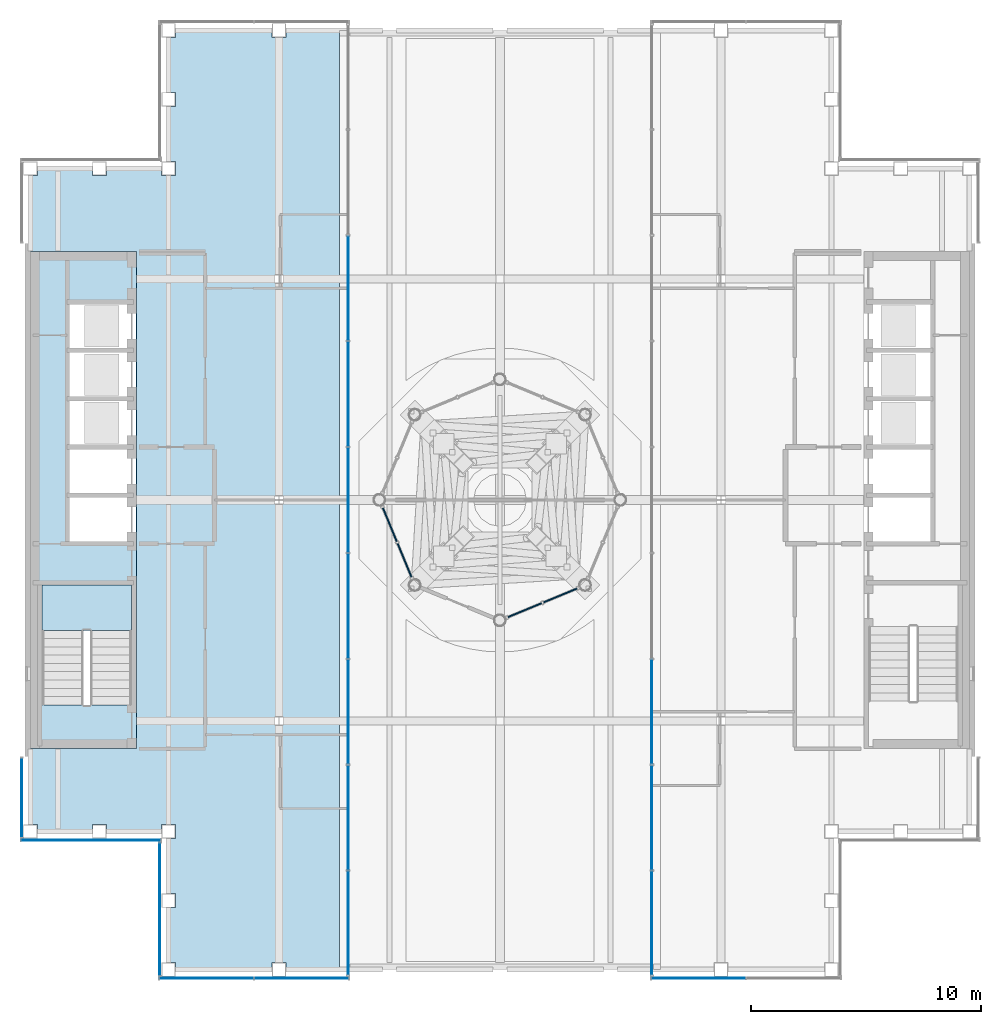
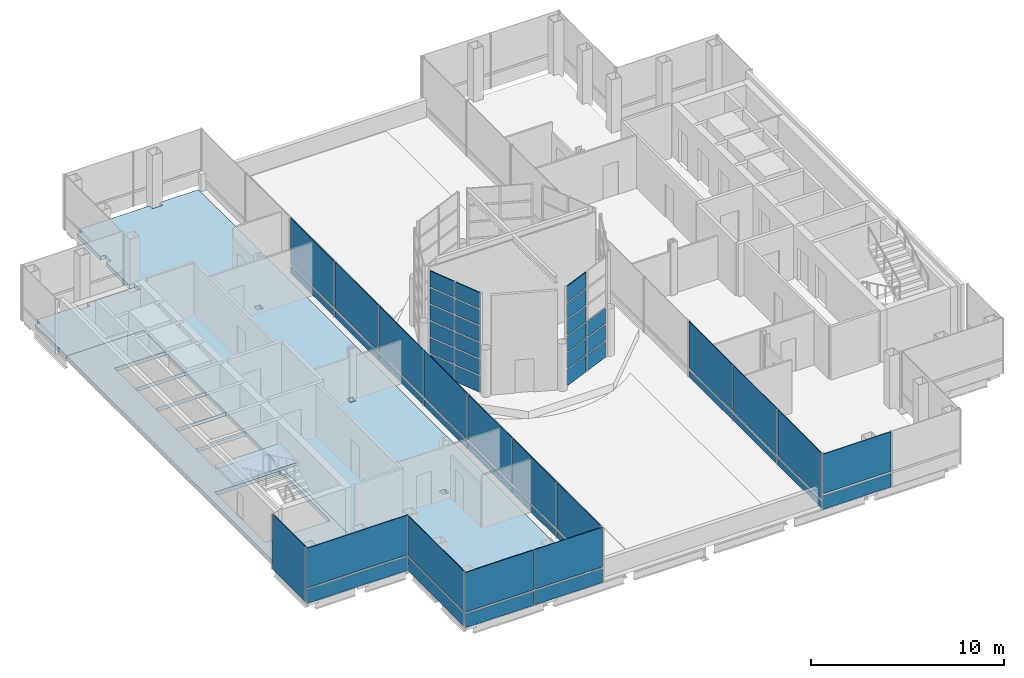
# One storey, part 22 of 32: 52 plates, 3 slabs, 10 elements without a shape of their own.
"""IFC4 building model written with IfcOpenShell, lengths in metres."""

from ifc_helpers import new_model, si_unit, direction, frame, origin, origin_2d, place, context, subcontext, project, spatial, polyline, rectangle, outline, extrude, material, layer, layer_set, type_object, element, aggregate, save


model = new_model("IFC4")

# Units and contexts
model_context = context("Model", 3, precision=1e-05, world=origin(), true_north=direction((0.0, 1.0)))
body_context = subcontext(model_context, "Body", "Model", "MODEL_VIEW")
ifc_project = project(units=[si_unit("LENGTHUNIT", "METRE"), si_unit("AREAUNIT", "SQUARE_METRE"), si_unit("VOLUMEUNIT", "CUBIC_METRE"), si_unit("PLANEANGLEUNIT", "RADIAN"), si_unit("MASSUNIT", "GRAM", prefix="KILO")], contexts=[model_context])

# Site, building, storey
site_placement = place(None, origin())
site = spatial("IfcSite", under=ifc_project, at=site_placement, CompositionType="ELEMENT")
building_placement = place(site_placement, origin())
building = spatial("IfcBuilding", under=site, at=building_placement, Name="Cobrizo Arcos Hotel Tower", CompositionType="ELEMENT")
storey_placement = place(building_placement, frame((0.0, 0.0, 265.5)))
storey = spatial("IfcBuildingStorey", under=building, at=storey_placement, Name="L70", CompositionType="ELEMENT", Elevation=265.5)

# Curtain wall, plate
ifc_material_1 = material(Name="Aluminium 6063-T6 anodised bronze", Category="aluminium")
curtain_wall_type_1 = type_object("IfcCurtainWallType", Name="CW-A guest facade", PredefinedType="NOTDEFINED", material=ifc_material_1)
curtain_wall_1_placement = place(storey_placement, origin())
curtain_wall_1 = element("IfcCurtainWall", 1, at=curtain_wall_1_placement, inside=storey, type_object=curtain_wall_type_1, Name="CW-A L70 S face", PredefinedType="NOTDEFINED")
ifc_material_2 = material(Name="Glass clear laminated low-e", Category="glass")
ifc_layer_1 = layer(ifc_material_2, 0.0400390625)
ifc_layer_set_1 = layer_set([ifc_layer_1], Name="CW-A glass panel")
plate_type_1 = type_object("IfcPlateType", Name="CW-A glass panel", PredefinedType="CURTAIN_PANEL", material=ifc_layer_set_1)
plate_1_placement = place(storey_placement, frame((8.62060546875, -20.77490234375, 0.990234375), z_axis=(0.0, 0.0, 1.0), x_axis=(1.0, 0.0, 0.0)))
plate_1 = element("IfcPlate", 2, at=plate_1_placement, type_object=plate_type_1, Name="CW-A glass panel 2191", PredefinedType="CURTAIN_PANEL", context=body_context, shape_type="SweptSolid", body=[
    extrude(rectangle(XDim=4.072998046875, YDim=0.0400390625, at=origin_2d()), origin(), (0.0, 0.0, 1.0), 2.510009765625),
])

# Curtain wall, plates
curtain_wall_2_placement = place(storey_placement, origin())
curtain_wall_2 = element("IfcCurtainWall", 3, at=curtain_wall_2_placement, inside=storey, type_object=curtain_wall_type_1, Name="CW-A L70 S face", PredefinedType="NOTDEFINED")
plate_2_placement = place(storey_placement, frame((-12.75341796875, -20.77490234375, 0.990234375), z_axis=(0.0, 0.0, 1.0), x_axis=(1.0, 0.0, 0.0)))
plate_2 = element("IfcPlate", 4, at=plate_2_placement, type_object=plate_type_1, Name="CW-A glass panel 2199", PredefinedType="CURTAIN_PANEL", context=body_context, shape_type="SweptSolid", body=[
    extrude(rectangle(XDim=4.072998046875, YDim=0.0400390625, at=origin_2d()), origin(), (0.0, 0.0, 1.0), 2.510009765625),
])
plate_3_placement = place(storey_placement, frame((-8.62060546875, -20.77490234375, 0.990234375), z_axis=(0.0, 0.0, 1.0), x_axis=(1.0, 0.0, 0.0)))
plate_3 = element("IfcPlate", 5, at=plate_3_placement, type_object=plate_type_1, Name="CW-A glass panel 2200", PredefinedType="CURTAIN_PANEL", context=body_context, shape_type="SweptSolid", body=[
    extrude(rectangle(XDim=4.072998046875, YDim=0.0400390625, at=origin_2d()), origin(), (0.0, 0.0, 1.0), 2.510009765625),
])

# Curtain wall, plate
curtain_wall_3_placement = place(storey_placement, origin())
curtain_wall_3 = element("IfcCurtainWall", 6, at=curtain_wall_3_placement, inside=storey, type_object=curtain_wall_type_1, Name="CW-A L70 S face", PredefinedType="NOTDEFINED")
plate_4_placement = place(storey_placement, frame((-17.77490234375, -14.77490234375, 0.990234375), z_axis=(0.0, 0.0, 1.0), x_axis=(1.0, 0.0, 0.0)))
plate_4 = element("IfcPlate", 7, at=plate_4_placement, type_object=plate_type_1, Name="CW-A glass panel 2216", PredefinedType="CURTAIN_PANEL", context=body_context, shape_type="SweptSolid", body=[
    extrude(rectangle(XDim=6.030029296875, YDim=0.0400390625, at=origin_2d()), origin(), (0.0, 0.0, 1.0), 2.510009765625),
])

curtain_wall_4_placement = place(storey_placement, origin())
curtain_wall_4 = element("IfcCurtainWall", 8, at=curtain_wall_4_placement, inside=storey, type_object=curtain_wall_type_1, Name="CW-A L70 W face", PredefinedType="NOTDEFINED")
plate_5_placement = place(storey_placement, frame((-14.77490234375, -17.77490234375, 0.990234375), z_axis=(0.0, 0.0, 1.0), x_axis=(0.0, -1.0, 0.0)))
plate_5 = element("IfcPlate", 9, at=plate_5_placement, type_object=plate_type_1, Name="CW-A glass panel 2217", PredefinedType="CURTAIN_PANEL", context=body_context, shape_type="SweptSolid", body=[
    extrude(rectangle(XDim=5.72998046875, YDim=0.0400390625, at=origin_2d()), origin(), (0.0, 0.0, 1.0), 2.510009765625),
])

# Plate
ifc_material_3 = material(Name="Aluminium composite panel pale metal", Category="aluminium")
ifc_layer_2 = layer(ifc_material_3, 0.0400390625)
ifc_layer_set_2 = layer_set([ifc_layer_2], Name="CW-A spandrel panel")
plate_type_2 = type_object("IfcPlateType", Name="CW-A spandrel panel", PredefinedType="CURTAIN_PANEL", material=ifc_layer_set_2)
plate_6_placement = place(storey_placement, frame((8.62060546875, -20.77490234375, 0.0), z_axis=(0.0, 0.0, 1.0), x_axis=(1.0, 0.0, 0.0)))
plate_6 = element("IfcPlate", 10, at=plate_6_placement, type_object=plate_type_2, Name="CW-A spandrel panel 2191", PredefinedType="CURTAIN_PANEL", context=body_context, shape_type="SweptSolid", body=[
    extrude(rectangle(XDim=4.072998046875, YDim=0.0400390625, at=origin_2d()), origin(), (0.0, 0.0, 1.0), 0.8701171875),
])

aggregate(curtain_wall_1, [plate_6, plate_1])

plate_7_placement = place(storey_placement, frame((-12.75341796875, -20.77490234375, 0.0), z_axis=(0.0, 0.0, 1.0), x_axis=(1.0, 0.0, 0.0)))
plate_7 = element("IfcPlate", 11, at=plate_7_placement, type_object=plate_type_2, Name="CW-A spandrel panel 2199", PredefinedType="CURTAIN_PANEL", context=body_context, shape_type="SweptSolid", body=[
    extrude(rectangle(XDim=4.072998046875, YDim=0.0400390625, at=origin_2d()), origin(), (0.0, 0.0, 1.0), 0.8701171875),
])

plate_8_placement = place(storey_placement, frame((-8.62060546875, -20.77490234375, 0.0), z_axis=(0.0, 0.0, 1.0), x_axis=(1.0, 0.0, 0.0)))
plate_8 = element("IfcPlate", 12, at=plate_8_placement, type_object=plate_type_2, Name="CW-A spandrel panel 2200", PredefinedType="CURTAIN_PANEL", context=body_context, shape_type="SweptSolid", body=[
    extrude(rectangle(XDim=4.072998046875, YDim=0.0400390625, at=origin_2d()), origin(), (0.0, 0.0, 1.0), 0.8701171875),
])

aggregate(curtain_wall_2, [plate_7, plate_2, plate_8, plate_3])

# Curtain wall, plate
curtain_wall_5_placement = place(storey_placement, origin())
curtain_wall_5 = element("IfcCurtainWall", 13, at=curtain_wall_5_placement, inside=storey, type_object=curtain_wall_type_1, Name="CW-A L70 W face", PredefinedType="NOTDEFINED")
plate_9_placement = place(storey_placement, frame((-20.77490234375, -12.925048828125, 0.0), z_axis=(0.0, 0.0, 1.0), x_axis=(0.0, -1.0, 0.0)))
plate_9 = element("IfcPlate", 14, at=plate_9_placement, type_object=plate_type_2, Name="CW-A spandrel panel 2215", PredefinedType="CURTAIN_PANEL", context=body_context, shape_type="SweptSolid", body=[
    extrude(rectangle(XDim=3.429931640625, YDim=0.0400390625, at=origin_2d()), origin(), (0.0, 0.0, 1.0), 3.5),
])
aggregate(curtain_wall_5, [plate_9])

# Plate
plate_10_placement = place(storey_placement, frame((-17.77490234375, -14.77490234375, 0.0), z_axis=(0.0, 0.0, 1.0), x_axis=(1.0, 0.0, 0.0)))
plate_10 = element("IfcPlate", 15, at=plate_10_placement, type_object=plate_type_2, Name="CW-A spandrel panel 2216", PredefinedType="CURTAIN_PANEL", context=body_context, shape_type="SweptSolid", body=[
    extrude(rectangle(XDim=6.030029296875, YDim=0.0400390625, at=origin_2d()), origin(), (0.0, 0.0, 1.0), 0.8701171875),
])

aggregate(curtain_wall_3, [plate_10, plate_4])

plate_11_placement = place(storey_placement, frame((-14.77490234375, -17.77490234375, 0.0), z_axis=(0.0, 0.0, 1.0), x_axis=(0.0, -1.0, 0.0)))
plate_11 = element("IfcPlate", 16, at=plate_11_placement, type_object=plate_type_2, Name="CW-A spandrel panel 2217", PredefinedType="CURTAIN_PANEL", context=body_context, shape_type="SweptSolid", body=[
    extrude(rectangle(XDim=5.72998046875, YDim=0.0400390625, at=origin_2d()), origin(), (0.0, 0.0, 1.0), 0.8701171875),
])

aggregate(curtain_wall_4, [plate_11, plate_5])

# Curtain wall, plates
curtain_wall_type_2 = type_object("IfcCurtainWallType", Name="CW-C arch infill and crown glazing", PredefinedType="NOTDEFINED", material=ifc_material_1)
curtain_wall_6_placement = place(storey_placement, origin())
curtain_wall_6 = element("IfcCurtainWall", 17, at=curtain_wall_6_placement, inside=storey, type_object=curtain_wall_type_2, Name="CW-C L70 W face", PredefinedType="NOTDEFINED")
ifc_layer_3 = layer(ifc_material_2, 0.0400390625)
ifc_layer_set_3 = layer_set([ifc_layer_3], Name="CW-C glass panel")
plate_type_3 = type_object("IfcPlateType", Name="CW-C glass panel", PredefinedType="CURTAIN_PANEL", material=ifc_layer_set_3)
plate_12_placement = place(storey_placement, frame((6.59912109375, -9.199951171875, 0.0), z_axis=(0.0, 0.0, 1.0), x_axis=(0.0, -1.0, 0.0)))
plate_12 = element("IfcPlate", 18, at=plate_12_placement, type_object=plate_type_3, Name="CW-C glass panel 2188", PredefinedType="CURTAIN_PANEL", context=body_context, shape_type="SweptSolid", body=[
    extrude(rectangle(XDim=4.530029296875, YDim=0.0400390625, at=origin_2d()), origin(), (0.0, 0.0, 1.0), 0.429931640625),
])
plate_13_placement = place(storey_placement, frame((6.59912109375, -9.199951171875, 0.56982421875), z_axis=(0.0, 0.0, 1.0), x_axis=(0.0, -1.0, 0.0)))
plate_13 = element("IfcPlate", 19, at=plate_13_placement, type_object=plate_type_3, Name="CW-C glass panel 2188", PredefinedType="CURTAIN_PANEL", context=body_context, shape_type="SweptSolid", body=[
    extrude(rectangle(XDim=4.530029296875, YDim=0.0400390625, at=origin_2d()), origin(), (0.0, 0.0, 1.0), 2.929931640625),
])
plate_14_placement = place(storey_placement, frame((6.59912109375, -13.800048828125, 0.0), z_axis=(0.0, 0.0, 1.0), x_axis=(0.0, -1.0, 0.0)))
plate_14 = element("IfcPlate", 20, at=plate_14_placement, type_object=plate_type_3, Name="CW-C glass panel 2189", PredefinedType="CURTAIN_PANEL", context=body_context, shape_type="SweptSolid", body=[
    extrude(rectangle(XDim=4.530029296875, YDim=0.0400390625, at=origin_2d()), origin(), (0.0, 0.0, 1.0), 0.429931640625),
])
plate_15_placement = place(storey_placement, frame((6.59912109375, -13.800048828125, 0.56982421875), z_axis=(0.0, 0.0, 1.0), x_axis=(0.0, -1.0, 0.0)))
plate_15 = element("IfcPlate", 21, at=plate_15_placement, type_object=plate_type_3, Name="CW-C glass panel 2189", PredefinedType="CURTAIN_PANEL", context=body_context, shape_type="SweptSolid", body=[
    extrude(rectangle(XDim=4.530029296875, YDim=0.0400390625, at=origin_2d()), origin(), (0.0, 0.0, 1.0), 2.929931640625),
])
plate_16_placement = place(storey_placement, frame((6.59912109375, -18.382568359375, 0.0), z_axis=(0.0, 0.0, 1.0), x_axis=(0.0, -1.0, 0.0)))
plate_16 = element("IfcPlate", 22, at=plate_16_placement, type_object=plate_type_3, Name="CW-C glass panel 2190", PredefinedType="CURTAIN_PANEL", context=body_context, shape_type="SweptSolid", body=[
    extrude(rectangle(XDim=4.4951171875, YDim=0.0400390625, at=origin_2d()), origin(), (0.0, 0.0, 1.0), 0.429931640625),
])
plate_17_placement = place(storey_placement, frame((6.59912109375, -18.382568359375, 0.56982421875), z_axis=(0.0, 0.0, 1.0), x_axis=(0.0, -1.0, 0.0)))
plate_17 = element("IfcPlate", 23, at=plate_17_placement, type_object=plate_type_3, Name="CW-C glass panel 2190", PredefinedType="CURTAIN_PANEL", context=body_context, shape_type="SweptSolid", body=[
    extrude(rectangle(XDim=4.4951171875, YDim=0.0400390625, at=origin_2d()), origin(), (0.0, 0.0, 1.0), 2.929931640625),
])
aggregate(curtain_wall_6, [plate_12, plate_13, plate_14, plate_15, plate_16, plate_17])

curtain_wall_7_placement = place(storey_placement, origin())
curtain_wall_7 = element("IfcCurtainWall", 24, at=curtain_wall_7_placement, inside=storey, type_object=curtain_wall_type_2, Name="CW-C L70 E face", PredefinedType="NOTDEFINED")
plate_18_placement = place(storey_placement, frame((-6.59912109375, -18.382568359375, 0.0), z_axis=(0.0, 0.0, 1.0), x_axis=(0.0, 1.0, 0.0)))
plate_18 = element("IfcPlate", 25, at=plate_18_placement, type_object=plate_type_3, Name="CW-C glass panel 2201", PredefinedType="CURTAIN_PANEL", context=body_context, shape_type="SweptSolid", body=[
    extrude(rectangle(XDim=4.4951171875, YDim=0.0400390625, at=origin_2d()), origin(), (0.0, 0.0, 1.0), 0.429931640625),
])
plate_19_placement = place(storey_placement, frame((-6.59912109375, -18.382568359375, 0.56982421875), z_axis=(0.0, 0.0, 1.0), x_axis=(0.0, 1.0, 0.0)))
plate_19 = element("IfcPlate", 26, at=plate_19_placement, type_object=plate_type_3, Name="CW-C glass panel 2201", PredefinedType="CURTAIN_PANEL", context=body_context, shape_type="SweptSolid", body=[
    extrude(rectangle(XDim=4.4951171875, YDim=0.0400390625, at=origin_2d()), origin(), (0.0, 0.0, 1.0), 2.929931640625),
])
plate_20_placement = place(storey_placement, frame((-6.59912109375, -13.800048828125, 0.0), z_axis=(0.0, 0.0, 1.0), x_axis=(0.0, 1.0, 0.0)))
plate_20 = element("IfcPlate", 27, at=plate_20_placement, type_object=plate_type_3, Name="CW-C glass panel 2202", PredefinedType="CURTAIN_PANEL", context=body_context, shape_type="SweptSolid", body=[
    extrude(rectangle(XDim=4.530029296875, YDim=0.0400390625, at=origin_2d()), origin(), (0.0, 0.0, 1.0), 0.429931640625),
])
plate_21_placement = place(storey_placement, frame((-6.59912109375, -13.800048828125, 0.56982421875), z_axis=(0.0, 0.0, 1.0), x_axis=(0.0, 1.0, 0.0)))
plate_21 = element("IfcPlate", 28, at=plate_21_placement, type_object=plate_type_3, Name="CW-C glass panel 2202", PredefinedType="CURTAIN_PANEL", context=body_context, shape_type="SweptSolid", body=[
    extrude(rectangle(XDim=4.530029296875, YDim=0.0400390625, at=origin_2d()), origin(), (0.0, 0.0, 1.0), 2.929931640625),
])
plate_22_placement = place(storey_placement, frame((-6.59912109375, -9.199951171875, 0.0), z_axis=(0.0, 0.0, 1.0), x_axis=(0.0, 1.0, 0.0)))
plate_22 = element("IfcPlate", 29, at=plate_22_placement, type_object=plate_type_3, Name="CW-C glass panel 2203", PredefinedType="CURTAIN_PANEL", context=body_context, shape_type="SweptSolid", body=[
    extrude(rectangle(XDim=4.530029296875, YDim=0.0400390625, at=origin_2d()), origin(), (0.0, 0.0, 1.0), 0.429931640625),
])
plate_23_placement = place(storey_placement, frame((-6.59912109375, -9.199951171875, 0.56982421875), z_axis=(0.0, 0.0, 1.0), x_axis=(0.0, 1.0, 0.0)))
plate_23 = element("IfcPlate", 30, at=plate_23_placement, type_object=plate_type_3, Name="CW-C glass panel 2203", PredefinedType="CURTAIN_PANEL", context=body_context, shape_type="SweptSolid", body=[
    extrude(rectangle(XDim=4.530029296875, YDim=0.0400390625, at=origin_2d()), origin(), (0.0, 0.0, 1.0), 2.929931640625),
])
plate_24_placement = place(storey_placement, frame((-6.59912109375, -4.60009765625, 0.0), z_axis=(0.0, 0.0, 1.0), x_axis=(0.0, 1.0, 0.0)))
plate_24 = element("IfcPlate", 31, at=plate_24_placement, type_object=plate_type_3, Name="CW-C glass panel 2204", PredefinedType="CURTAIN_PANEL", context=body_context, shape_type="SweptSolid", body=[
    extrude(rectangle(XDim=4.530029296875, YDim=0.0400390625, at=origin_2d()), origin(), (0.0, 0.0, 1.0), 0.429931640625),
])
plate_25_placement = place(storey_placement, frame((-6.59912109375, -4.60009765625, 0.56982421875), z_axis=(0.0, 0.0, 1.0), x_axis=(0.0, 1.0, 0.0)))
plate_25 = element("IfcPlate", 32, at=plate_25_placement, type_object=plate_type_3, Name="CW-C glass panel 2204", PredefinedType="CURTAIN_PANEL", context=body_context, shape_type="SweptSolid", body=[
    extrude(rectangle(XDim=4.530029296875, YDim=0.0400390625, at=origin_2d()), origin(), (0.0, 0.0, 1.0), 2.929931640625),
])
plate_26_placement = place(storey_placement, frame((-6.59912109375, 0.0, 0.0), z_axis=(0.0, 0.0, 1.0), x_axis=(0.0, 1.0, 0.0)))
plate_26 = element("IfcPlate", 33, at=plate_26_placement, type_object=plate_type_3, Name="CW-C glass panel 2205", PredefinedType="CURTAIN_PANEL", context=body_context, shape_type="SweptSolid", body=[
    extrude(rectangle(XDim=4.530029296875, YDim=0.0400390625, at=origin_2d()), origin(), (0.0, 0.0, 1.0), 0.429931640625),
])
plate_27_placement = place(storey_placement, frame((-6.59912109375, 0.0, 0.56982421875), z_axis=(0.0, 0.0, 1.0), x_axis=(0.0, 1.0, 0.0)))
plate_27 = element("IfcPlate", 34, at=plate_27_placement, type_object=plate_type_3, Name="CW-C glass panel 2205", PredefinedType="CURTAIN_PANEL", context=body_context, shape_type="SweptSolid", body=[
    extrude(rectangle(XDim=4.530029296875, YDim=0.0400390625, at=origin_2d()), origin(), (0.0, 0.0, 1.0), 2.929931640625),
])
plate_28_placement = place(storey_placement, frame((-6.59912109375, 4.60009765625, 0.0), z_axis=(0.0, 0.0, 1.0), x_axis=(0.0, 1.0, 0.0)))
plate_28 = element("IfcPlate", 35, at=plate_28_placement, type_object=plate_type_3, Name="CW-C glass panel 2206", PredefinedType="CURTAIN_PANEL", context=body_context, shape_type="SweptSolid", body=[
    extrude(rectangle(XDim=4.530029296875, YDim=0.0400390625, at=origin_2d()), origin(), (0.0, 0.0, 1.0), 0.429931640625),
])
plate_29_placement = place(storey_placement, frame((-6.59912109375, 4.60009765625, 0.56982421875), z_axis=(0.0, 0.0, 1.0), x_axis=(0.0, 1.0, 0.0)))
plate_29 = element("IfcPlate", 36, at=plate_29_placement, type_object=plate_type_3, Name="CW-C glass panel 2206", PredefinedType="CURTAIN_PANEL", context=body_context, shape_type="SweptSolid", body=[
    extrude(rectangle(XDim=4.530029296875, YDim=0.0400390625, at=origin_2d()), origin(), (0.0, 0.0, 1.0), 2.929931640625),
])
plate_30_placement = place(storey_placement, frame((-6.59912109375, 9.199951171875, 0.0), z_axis=(0.0, 0.0, 1.0), x_axis=(0.0, 1.0, 0.0)))
plate_30 = element("IfcPlate", 37, at=plate_30_placement, type_object=plate_type_3, Name="CW-C glass panel 2207", PredefinedType="CURTAIN_PANEL", context=body_context, shape_type="SweptSolid", body=[
    extrude(rectangle(XDim=4.530029296875, YDim=0.0400390625, at=origin_2d()), origin(), (0.0, 0.0, 1.0), 0.429931640625),
])
plate_31_placement = place(storey_placement, frame((-6.59912109375, 9.199951171875, 0.56982421875), z_axis=(0.0, 0.0, 1.0), x_axis=(0.0, 1.0, 0.0)))
plate_31 = element("IfcPlate", 38, at=plate_31_placement, type_object=plate_type_3, Name="CW-C glass panel 2207", PredefinedType="CURTAIN_PANEL", context=body_context, shape_type="SweptSolid", body=[
    extrude(rectangle(XDim=4.530029296875, YDim=0.0400390625, at=origin_2d()), origin(), (0.0, 0.0, 1.0), 2.929931640625),
])
aggregate(curtain_wall_7, [plate_18, plate_19, plate_20, plate_21, plate_22, plate_23, plate_24, plate_25, plate_26, plate_27, plate_28, plate_29, plate_30, plate_31])

curtain_wall_type_3 = type_object("IfcCurtainWallType", Name="CW-D plant louvre wall", PredefinedType="NOTDEFINED", material=ifc_material_1)
curtain_wall_8_placement = place(storey_placement, origin())
curtain_wall_8 = element("IfcCurtainWall", 39, at=curtain_wall_8_placement, inside=storey, type_object=curtain_wall_type_3, Name="CW-D drum louvre wall 5", PredefinedType="NOTDEFINED")
ifc_layer_4 = layer(ifc_material_3, 0.06005859375)
ifc_layer_set_4 = layer_set([ifc_layer_4], Name="CW-D spandrel panel")
plate_type_4 = type_object("IfcPlateType", Name="CW-D spandrel panel", PredefinedType="CURTAIN_PANEL", material=ifc_layer_set_4)
plate_32_placement = place(storey_placement, frame((-4.785400390625, -1.079345703125, 0.5), z_axis=(0.0, 0.0, 1.0), x_axis=(0.382683432365, -0.923879532511, 0.0)))
plate_32 = element("IfcPlate", 40, at=plate_32_placement, type_object=plate_type_4, Name="CW-D louvre panel 1-0", PredefinedType="CURTAIN_PANEL", context=body_context, shape_type="SweptSolid", body=[
    extrude(rectangle(XDim=1.568359375, YDim=0.06005859375, at=origin_2d()), origin(), (0.0, 0.0, 1.0), 1.0),
])
plate_33_placement = place(storey_placement, frame((-4.785400390625, -1.079345703125, 1.60009765625), z_axis=(0.0, 0.0, 1.0), x_axis=(0.382683432365, -0.923879532511, 0.0)))
plate_33 = element("IfcPlate", 41, at=plate_33_placement, type_object=plate_type_4, Name="CW-D louvre panel 1-1", PredefinedType="CURTAIN_PANEL", context=body_context, shape_type="SweptSolid", body=[
    extrude(rectangle(XDim=1.568359375, YDim=0.06005859375, at=origin_2d()), origin(), (0.0, 0.0, 1.0), 0.949951171875),
])
plate_34_placement = place(storey_placement, frame((-4.785400390625, -1.079345703125, 2.64990234375), z_axis=(0.0, 0.0, 1.0), x_axis=(0.382683432365, -0.923879532511, 0.0)))
plate_34 = element("IfcPlate", 42, at=plate_34_placement, type_object=plate_type_4, Name="CW-D louvre panel 1-2", PredefinedType="CURTAIN_PANEL", context=body_context, shape_type="SweptSolid", body=[
    extrude(rectangle(XDim=1.568359375, YDim=0.06005859375, at=origin_2d()), origin(), (0.0, 0.0, 1.0), 0.949951171875),
])
plate_35_placement = place(storey_placement, frame((-4.785400390625, -1.079345703125, 3.7001953125), z_axis=(0.0, 0.0, 1.0), x_axis=(0.382683432365, -0.923879532511, 0.0)))
plate_35 = element("IfcPlate", 43, at=plate_35_placement, type_object=plate_type_4, Name="CW-D louvre panel 1-3", PredefinedType="CURTAIN_PANEL", context=body_context, shape_type="SweptSolid", body=[
    extrude(rectangle(XDim=1.568359375, YDim=0.06005859375, at=origin_2d()), origin(), (0.0, 0.0, 1.0), 0.949951171875),
])
plate_36_placement = place(storey_placement, frame((-4.785400390625, -1.079345703125, 4.75), z_axis=(0.0, 0.0, 1.0), x_axis=(0.382683432365, -0.923879532511, 0.0)))
plate_36 = element("IfcPlate", 44, at=plate_36_placement, type_object=plate_type_4, Name="CW-D louvre panel 1-4", PredefinedType="CURTAIN_PANEL", context=body_context, shape_type="SweptSolid", body=[
    extrude(rectangle(XDim=1.568359375, YDim=0.06005859375, at=origin_2d()), origin(), (0.0, 0.0, 1.0), 0.949951171875),
])
plate_37_placement = place(storey_placement, frame((-4.785400390625, -1.079345703125, 5.800048828125), z_axis=(0.0, 0.0, 1.0), x_axis=(0.382683432365, -0.923879532511, 0.0)))
plate_37 = element("IfcPlate", 45, at=plate_37_placement, type_object=plate_type_4, Name="CW-D louvre panel 1-5", PredefinedType="CURTAIN_PANEL", context=body_context, shape_type="SweptSolid", body=[
    extrude(rectangle(XDim=1.568359375, YDim=0.06005859375, at=origin_2d()), origin(), (0.0, 0.0, 1.0), 1.0),
])
plate_38_placement = place(storey_placement, frame((-4.147216796875, -2.62060546875, 0.5), z_axis=(0.0, 0.0, 1.0), x_axis=(0.382683432365, -0.923879532511, 0.0)))
plate_38 = element("IfcPlate", 46, at=plate_38_placement, type_object=plate_type_4, Name="CW-D louvre panel 2-0", PredefinedType="CURTAIN_PANEL", context=body_context, shape_type="SweptSolid", body=[
    extrude(rectangle(XDim=1.568359375, YDim=0.06005859375, at=origin_2d()), origin(), (0.0, 0.0, 1.0), 1.0),
])
plate_39_placement = place(storey_placement, frame((-4.147216796875, -2.62060546875, 1.60009765625), z_axis=(0.0, 0.0, 1.0), x_axis=(0.382683432365, -0.923879532511, 0.0)))
plate_39 = element("IfcPlate", 47, at=plate_39_placement, type_object=plate_type_4, Name="CW-D louvre panel 2-1", PredefinedType="CURTAIN_PANEL", context=body_context, shape_type="SweptSolid", body=[
    extrude(rectangle(XDim=1.568359375, YDim=0.06005859375, at=origin_2d()), origin(), (0.0, 0.0, 1.0), 0.949951171875),
])
plate_40_placement = place(storey_placement, frame((-4.147216796875, -2.62060546875, 2.64990234375), z_axis=(0.0, 0.0, 1.0), x_axis=(0.382683432365, -0.923879532511, 0.0)))
plate_40 = element("IfcPlate", 48, at=plate_40_placement, type_object=plate_type_4, Name="CW-D louvre panel 2-2", PredefinedType="CURTAIN_PANEL", context=body_context, shape_type="SweptSolid", body=[
    extrude(rectangle(XDim=1.568359375, YDim=0.06005859375, at=origin_2d()), origin(), (0.0, 0.0, 1.0), 0.949951171875),
])
plate_41_placement = place(storey_placement, frame((-4.147216796875, -2.62060546875, 3.7001953125), z_axis=(0.0, 0.0, 1.0), x_axis=(0.382683432365, -0.923879532511, 0.0)))
plate_41 = element("IfcPlate", 49, at=plate_41_placement, type_object=plate_type_4, Name="CW-D louvre panel 2-3", PredefinedType="CURTAIN_PANEL", context=body_context, shape_type="SweptSolid", body=[
    extrude(rectangle(XDim=1.568359375, YDim=0.06005859375, at=origin_2d()), origin(), (0.0, 0.0, 1.0), 0.949951171875),
])
plate_42_placement = place(storey_placement, frame((-4.147216796875, -2.62060546875, 4.75), z_axis=(0.0, 0.0, 1.0), x_axis=(0.382683432365, -0.923879532511, 0.0)))
plate_42 = element("IfcPlate", 50, at=plate_42_placement, type_object=plate_type_4, Name="CW-D louvre panel 2-4", PredefinedType="CURTAIN_PANEL", context=body_context, shape_type="SweptSolid", body=[
    extrude(rectangle(XDim=1.568359375, YDim=0.06005859375, at=origin_2d()), origin(), (0.0, 0.0, 1.0), 0.949951171875),
])
plate_43_placement = place(storey_placement, frame((-4.147216796875, -2.62060546875, 5.800048828125), z_axis=(0.0, 0.0, 1.0), x_axis=(0.382683432365, -0.923879532511, 0.0)))
plate_43 = element("IfcPlate", 51, at=plate_43_placement, type_object=plate_type_4, Name="CW-D louvre panel 2-5", PredefinedType="CURTAIN_PANEL", context=body_context, shape_type="SweptSolid", body=[
    extrude(rectangle(XDim=1.568359375, YDim=0.06005859375, at=origin_2d()), origin(), (0.0, 0.0, 1.0), 1.0),
])
aggregate(curtain_wall_8, [plate_32, plate_33, plate_34, plate_35, plate_36, plate_37, plate_38, plate_39, plate_40, plate_41, plate_42, plate_43])

curtain_wall_9_placement = place(storey_placement, origin())
curtain_wall_9 = element("IfcCurtainWall", 52, at=curtain_wall_9_placement, inside=storey, type_object=curtain_wall_type_3, Name="CW-D drum louvre wall 7", PredefinedType="NOTDEFINED")
plate_44_placement = place(storey_placement, frame((1.079345703125, -4.785400390625, 0.5), z_axis=(0.0, 0.0, 1.0), x_axis=(0.923879532511, 0.382683432365, 0.0)))
plate_44 = element("IfcPlate", 53, at=plate_44_placement, type_object=plate_type_4, Name="CW-D louvre panel 1-0", PredefinedType="CURTAIN_PANEL", context=body_context, shape_type="SweptSolid", body=[
    extrude(rectangle(XDim=1.568359375, YDim=0.06005859375, at=origin_2d()), origin(), (0.0, 0.0, 1.0), 1.0),
])
plate_45_placement = place(storey_placement, frame((1.079345703125, -4.785400390625, 1.60009765625), z_axis=(0.0, 0.0, 1.0), x_axis=(0.923879532511, 0.382683432365, 0.0)))
plate_45 = element("IfcPlate", 54, at=plate_45_placement, type_object=plate_type_4, Name="CW-D louvre panel 1-1", PredefinedType="CURTAIN_PANEL", context=body_context, shape_type="SweptSolid", body=[
    extrude(rectangle(XDim=1.568359375, YDim=0.06005859375, at=origin_2d()), origin(), (0.0, 0.0, 1.0), 0.949951171875),
])
plate_46_placement = place(storey_placement, frame((1.079345703125, -4.785400390625, 2.64990234375), z_axis=(0.0, 0.0, 1.0), x_axis=(0.923879532511, 0.382683432365, 0.0)))
plate_46 = element("IfcPlate", 55, at=plate_46_placement, type_object=plate_type_4, Name="CW-D louvre panel 1-2", PredefinedType="CURTAIN_PANEL", context=body_context, shape_type="SweptSolid", body=[
    extrude(rectangle(XDim=1.568359375, YDim=0.06005859375, at=origin_2d()), origin(), (0.0, 0.0, 1.0), 0.949951171875),
])
plate_47_placement = place(storey_placement, frame((1.079345703125, -4.785400390625, 3.7001953125), z_axis=(0.0, 0.0, 1.0), x_axis=(0.923879532511, 0.382683432365, 0.0)))
plate_47 = element("IfcPlate", 56, at=plate_47_placement, type_object=plate_type_4, Name="CW-D louvre panel 1-3", PredefinedType="CURTAIN_PANEL", context=body_context, shape_type="SweptSolid", body=[
    extrude(rectangle(XDim=1.568359375, YDim=0.06005859375, at=origin_2d()), origin(), (0.0, 0.0, 1.0), 0.949951171875),
])
plate_48_placement = place(storey_placement, frame((1.079345703125, -4.785400390625, 4.75), z_axis=(0.0, 0.0, 1.0), x_axis=(0.923879532511, 0.382683432365, 0.0)))
plate_48 = element("IfcPlate", 57, at=plate_48_placement, type_object=plate_type_4, Name="CW-D louvre panel 1-4", PredefinedType="CURTAIN_PANEL", context=body_context, shape_type="SweptSolid", body=[
    extrude(rectangle(XDim=1.568359375, YDim=0.06005859375, at=origin_2d()), origin(), (0.0, 0.0, 1.0), 0.949951171875),
])
plate_49_placement = place(storey_placement, frame((1.079345703125, -4.785400390625, 5.800048828125), z_axis=(0.0, 0.0, 1.0), x_axis=(0.923879532511, 0.382683432365, 0.0)))
plate_49 = element("IfcPlate", 58, at=plate_49_placement, type_object=plate_type_4, Name="CW-D louvre panel 1-5", PredefinedType="CURTAIN_PANEL", context=body_context, shape_type="SweptSolid", body=[
    extrude(rectangle(XDim=1.568359375, YDim=0.06005859375, at=origin_2d()), origin(), (0.0, 0.0, 1.0), 1.0),
])
plate_50_placement = place(storey_placement, frame((2.62060546875, -4.147216796875, 0.5), z_axis=(0.0, 0.0, 1.0), x_axis=(0.923879532511, 0.382683432365, 0.0)))
plate_50 = element("IfcPlate", 59, at=plate_50_placement, type_object=plate_type_4, Name="CW-D louvre panel 2-0", PredefinedType="CURTAIN_PANEL", context=body_context, shape_type="SweptSolid", body=[
    extrude(rectangle(XDim=1.568359375, YDim=0.06005859375, at=origin_2d()), origin(), (0.0, 0.0, 1.0), 1.0),
])
plate_51_placement = place(storey_placement, frame((2.62060546875, -4.147216796875, 1.60009765625), z_axis=(0.0, 0.0, 1.0), x_axis=(0.923879532511, 0.382683432365, 0.0)))
plate_51 = element("IfcPlate", 60, at=plate_51_placement, type_object=plate_type_4, Name="CW-D louvre panel 2-1", PredefinedType="CURTAIN_PANEL", context=body_context, shape_type="SweptSolid", body=[
    extrude(rectangle(XDim=1.568359375, YDim=0.06005859375, at=origin_2d()), origin(), (0.0, 0.0, 1.0), 0.949951171875),
])
plate_52_placement = place(storey_placement, frame((2.62060546875, -4.147216796875, 2.64990234375), z_axis=(0.0, 0.0, 1.0), x_axis=(0.923879532511, 0.382683432365, 0.0)))
plate_52 = element("IfcPlate", 61, at=plate_52_placement, type_object=plate_type_4, Name="CW-D louvre panel 2-2", PredefinedType="CURTAIN_PANEL", context=body_context, shape_type="SweptSolid", body=[
    extrude(rectangle(XDim=1.568359375, YDim=0.06005859375, at=origin_2d()), origin(), (0.0, 0.0, 1.0), 0.949951171875),
])
aggregate(curtain_wall_9, [plate_44, plate_45, plate_46, plate_47, plate_48, plate_49, plate_50, plate_51, plate_52])

# Slabs
ifc_material_4 = material(Name="Concrete f'c 35 MPa", Category="concrete")
ifc_layer_5 = layer(ifc_material_4, 0.25)
ifc_layer_set_5 = layer_set([ifc_layer_5], Name="Composite floor slab 250 f'c 35")
slab_type_1 = type_object("IfcSlabType", Name="Composite floor slab 250 f'c 35", PredefinedType="FLOOR", material=ifc_layer_set_5)
slab_1_placement = place(storey_placement, frame((0.0, 0.0, -0.25)))
element("IfcSlab", 62, at=slab_1_placement, inside=storey, type_object=slab_type_1, Name="Floor slab S3, L70, no. 01", PredefinedType="FLOOR", context=body_context, shape_type="SweptSolid", body=[
    extrude(outline(polyline([(-14.39990234375, -17.699951171875), (-14.10009765625, -17.699951171875), (-14.10009765625, -17.10009765625), (-14.39990234375, -17.10009765625), (-14.39990234375, -14.699951171875), (-14.10009765625, -14.699951171875), (-14.10009765625, -14.10009765625), (-14.699951171875, -14.10009765625), (-14.699951171875, -14.39990234375), (-17.10009765625, -14.39990234375), (-17.10009765625, -14.10009765625), (-17.699951171875, -14.10009765625), (-17.699951171875, -14.39990234375), (-20.10009765625, -14.39990234375), (-20.10009765625, -14.10009765625), (-20.39990234375, -14.10009765625), (-20.39990234375, -10.800048828125), (-15.800048828125, -10.800048828125), (-15.800048828125, 10.800048828125), (-20.39990234375, 10.800048828125), (-20.39990234375, 14.10009765625), (-20.10009765625, 14.10009765625), (-20.10009765625, 14.39990234375), (-17.699951171875, 14.39990234375), (-17.699951171875, 14.10009765625), (-17.10009765625, 14.10009765625), (-17.10009765625, 14.39990234375), (-14.699951171875, 14.39990234375), (-14.699951171875, 14.10009765625), (-14.10009765625, 14.10009765625), (-14.10009765625, 14.699951171875), (-14.39990234375, 14.699951171875), (-14.39990234375, 17.10009765625), (-14.10009765625, 17.10009765625), (-14.10009765625, 17.699951171875), (-14.39990234375, 17.699951171875), (-14.39990234375, 20.10009765625), (-14.10009765625, 20.10009765625), (-14.10009765625, 20.39990234375), (-9.89990234375, 20.39990234375), (-9.89990234375, 20.10009765625), (-9.300048828125, 20.10009765625), (-9.300048828125, 20.39990234375), (-6.97412109375, 20.39990234375), (-6.97412109375, -20.39990234375), (-9.300048828125, -20.39990234375), (-9.300048828125, -20.10009765625), (-9.89990234375, -20.10009765625), (-9.89990234375, -20.39990234375), (-14.10009765625, -20.39990234375), (-14.10009765625, -20.10009765625), (-14.39990234375, -20.10009765625), (-14.39990234375, -17.699951171875)]), holes=[polyline([(-9.415771484375, -9.7841796875), (-9.415771484375, -9.415771484375), (-9.7841796875, -9.415771484375), (-9.7841796875, -9.7841796875), (-9.415771484375, -9.7841796875)]), polyline([(-9.415771484375, -0.18408203125), (-9.415771484375, 0.18408203125), (-9.7841796875, 0.18408203125), (-9.7841796875, -0.18408203125), (-9.415771484375, -0.18408203125)]), polyline([(-9.415771484375, 9.415771484375), (-9.415771484375, 9.7841796875), (-9.7841796875, 9.7841796875), (-9.7841796875, 9.415771484375), (-9.415771484375, 9.415771484375)])]), origin(), (0.0, 0.0, 1.0), 0.25),
])
ifc_material_5 = material(Name="Concrete f'c 40 MPa", Category="concrete")
ifc_layer_6 = layer(ifc_material_5, 0.25)
ifc_layer_set_6 = layer_set([ifc_layer_6], Name="RC core floor slab 250 f'c 40")
slab_type_2 = type_object("IfcSlabType", Name="RC core floor slab 250 f'c 40", PredefinedType="FLOOR", material=ifc_layer_set_6)
slab_2_placement = place(storey_placement, frame((0.0, 0.0, -0.25)))
element("IfcSlab", 63, at=slab_2_placement, inside=storey, type_object=slab_type_2, Name="Core floor slab CS7, west core, L70", PredefinedType="FLOOR", context=body_context, shape_type="SweptSolid", body=[
    extrude(outline(polyline([(-20.39990234375, 10.800048828125), (-15.800048828125, 10.800048828125), (-15.800048828125, -10.800048828125), (-20.39990234375, -10.800048828125), (-20.39990234375, 10.800048828125)]), holes=[polyline([(-19.89794921875, -3.701904296875), (-19.89794921875, -8.89794921875), (-16.001953125, -8.89794921875), (-16.001953125, -3.701904296875), (-19.89794921875, -3.701904296875)]), polyline([(-18.798095703125, 0.197998046875), (-18.798095703125, -1.89794921875), (-15.802001953125, -1.89794921875), (-15.802001953125, 0.197998046875), (-18.798095703125, 0.197998046875)]), polyline([(-18.798095703125, 2.298095703125), (-18.798095703125, 0.201904296875), (-15.802001953125, 0.201904296875), (-15.802001953125, 2.298095703125), (-18.798095703125, 2.298095703125)]), polyline([(-18.798095703125, 4.39794921875), (-18.798095703125, 2.302001953125), (-15.802001953125, 2.302001953125), (-15.802001953125, 4.39794921875), (-18.798095703125, 4.39794921875)]), polyline([(-15.802001953125, 6.498046875), (-18.798095703125, 6.498046875), (-18.798095703125, 4.402099609375), (-15.802001953125, 4.402099609375), (-15.802001953125, 6.498046875)]), polyline([(-15.802001953125, 8.597900390625), (-18.798095703125, 8.597900390625), (-18.798095703125, 6.501953125), (-15.802001953125, 6.501953125), (-15.802001953125, 8.597900390625)])]), origin(), (0.0, 0.0, 1.0), 0.25),
])

# Stair, slab
stair_type = type_object("IfcStairType", Name="Exit stair", PredefinedType="HALF_TURN_STAIR", material=ifc_material_5)
stair_placement = place(storey_placement, origin())
stair = element("IfcStair", 64, at=stair_placement, inside=storey, type_object=stair_type, Name="L70 Exit stair ST-W", PredefinedType="HALF_TURN_STAIR")
ifc_layer_7 = layer(ifc_material_5, 0.199951171875)
ifc_layer_set_7 = layer_set([ifc_layer_7], Name="Stair landing")
slab_type_3 = type_object("IfcSlabType", Name="Stair landing", PredefinedType="LANDING", material=ifc_layer_set_7)
slab_3_placement = place(storey_placement, frame((0.0, 0.0, 1.550048828125)))
slab_3 = element("IfcSlab", 65, at=slab_3_placement, type_object=slab_type_3, Name="ST-W landing 1", PredefinedType="LANDING", context=body_context, shape_type="SweptSolid", body=[
    extrude(outline(polyline([(-16.0, -5.659912109375), (-16.0, -3.699951171875), (-19.89990234375, -3.699951171875), (-19.89990234375, -5.659912109375), (-16.0, -5.659912109375)])), origin(), (0.0, 0.0, 1.0), 0.199951171875),
])
aggregate(stair, [slab_3])

save(model, "model.ifc")
